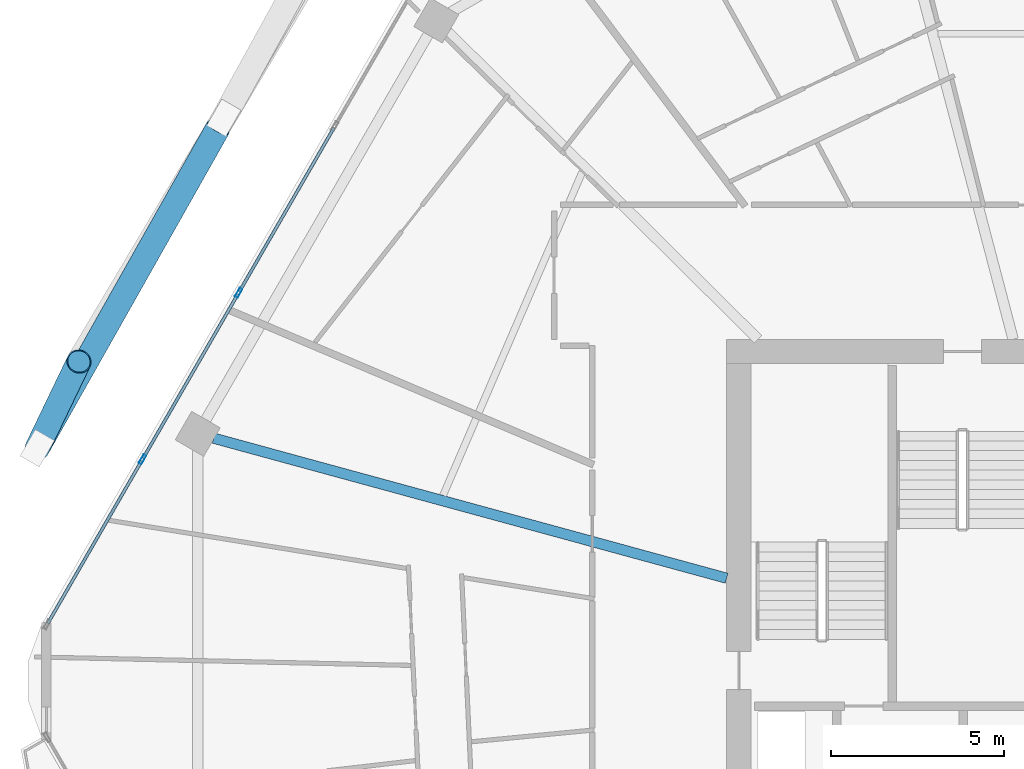
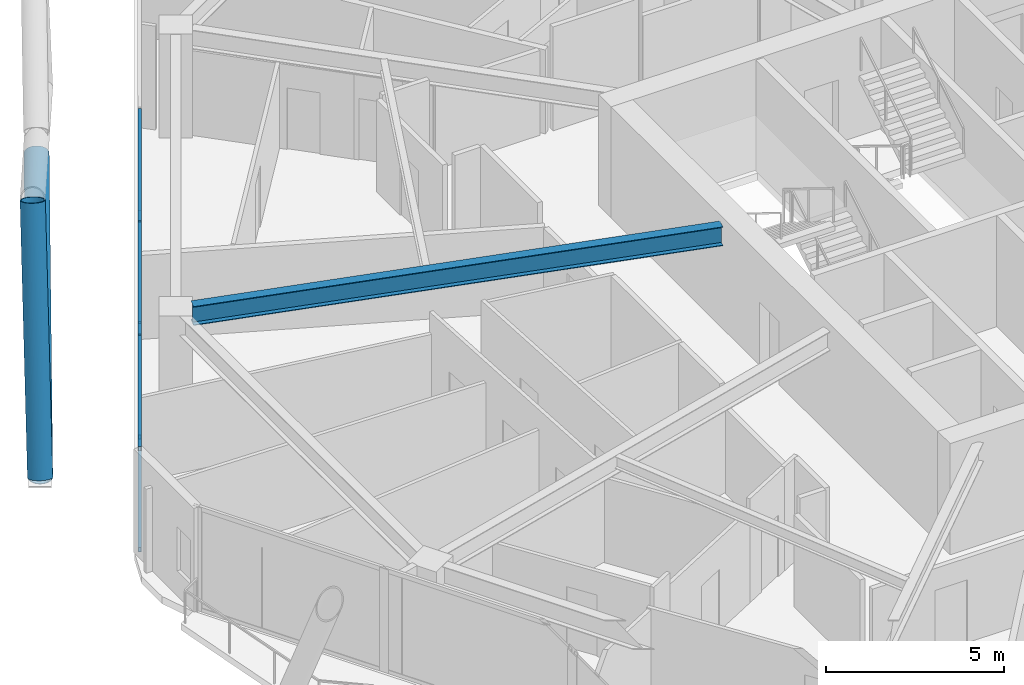
# One storey, part 10 of 29: 10 members, 1 beam, 1 element without a shape of its own.
"""IFC4 building model written with IfcOpenShell, lengths in metres."""

import ifcopenshell
import ifcopenshell.guid

model = None  # the IFC model being written
_history = None  # IfcOwnerHistory: only IFC2X3 demands one
_inside = {}  # id of a spatial element -> (the spatial element, [elements in it])
_under = {}  # id of a project, library or spatial element -> (it, [spatial elements below it])
_declared = {}  # id of a project -> (the project, [libraries it declares])
_typed = {}  # id of a type object -> (the type object, [elements of that type])
_made_of = {}  # id of a material, layer set ... -> (it, [elements and type objects made of it])


def new_model(schema):
    """Start an empty IFC model of exactly this schema.

    Asked for "IFC4X3", IfcOpenShell would pick the latest addendum, in which some entities
    have other attributes; the version numbers below select the first issue.
    IFC2X3 requires an IfcOwnerHistory on every rooted entity: one is made here for all.
    """
    global model, _history
    if schema == "IFC4X3":
        model = ifcopenshell.file(schema_version=(4, 3, 0, 0))
    else:
        model = ifcopenshell.file(schema=schema)
    _inside.clear()
    _under.clear()
    _declared.clear()
    _typed.clear()
    _made_of.clear()
    _history = None
    if model.schema == "IFC2X3":
        org = make("IfcOrganization", Name="unknown")
        user = make(
            "IfcPersonAndOrganization",
            ThePerson=make("IfcPerson", FamilyName="unknown"),
            TheOrganization=org,
        )
        app = make(
            "IfcApplication",
            ApplicationDeveloper=org,
            Version="unknown",
            ApplicationFullName="unknown",
            ApplicationIdentifier="unknown",
        )
        _history = make(
            "IfcOwnerHistory",
            OwningUser=user,
            OwningApplication=app,
            ChangeAction="ADDED",
            CreationDate=0,
        )
    return model


def make(cls, **values):
    """One entity of the class cls with the attributes given. An attribute that is None is left unset."""
    return model.create_entity(
        cls, **{name: value for name, value in values.items() if value is not None}
    )


def rooted(cls, **values):
    """An entity with a GlobalId (a new one), such as an element, a storey or a relation."""
    return make(cls, GlobalId=ifcopenshell.guid.new(), OwnerHistory=_history, **values)


def si_unit(unit_type, name, prefix=None):
    """IfcSIUnit, for example si_unit("LENGTHUNIT", "METRE", prefix="MILLI")."""
    return make("IfcSIUnit", UnitType=unit_type, Prefix=prefix, Name=name)


def assignment(units):
    """IfcUnitAssignment: the units of a project."""
    return None if units is None else make("IfcUnitAssignment", Units=units)


def point(xyz):
    """IfcCartesianPoint."""
    return None if xyz is None else make("IfcCartesianPoint", Coordinates=xyz)


def direction(xyz):
    """IfcDirection."""
    return None if xyz is None else make("IfcDirection", DirectionRatios=xyz)


def frame(location, z_axis=None, x_axis=None):
    """IfcAxis2Placement3D, a coordinate frame: its origin and axes. An axis left out is left unset."""
    return make(
        "IfcAxis2Placement3D",
        Location=point(location),
        Axis=direction(z_axis),
        RefDirection=direction(x_axis),
    )


def frame_2d(location, x_axis=None):
    """IfcAxis2Placement2D, a coordinate frame in the plane: its origin and x axis."""
    return make(
        "IfcAxis2Placement2D", Location=point(location), RefDirection=direction(x_axis)
    )


def origin():
    """The frame at (0, 0, 0) with its axes left unset."""
    return frame((0.0, 0.0, 0.0))


def origin_2d():
    """The frame at (0, 0) in the plane with its x axis left unset."""
    return frame_2d((0.0, 0.0))


def place(relative_to, where):
    """IfcLocalPlacement: puts the frame where relative to a parent placement (None: the world)."""
    return make(
        "IfcLocalPlacement", PlacementRelTo=relative_to, RelativePlacement=where
    )


def context(
    kind, dimensions, precision=None, world=None, true_north=None, identifier=None
):
    """IfcGeometricRepresentationContext, for example the 3D "Model" context."""
    return make(
        "IfcGeometricRepresentationContext",
        ContextIdentifier=identifier,
        ContextType=kind,
        CoordinateSpaceDimension=dimensions,
        Precision=precision,
        WorldCoordinateSystem=world,
        TrueNorth=true_north,
    )


def subcontext(parent, identifier, kind, view, scale=None):
    """IfcGeometricRepresentationSubContext, for example "Body" below "Model"."""
    return make(
        "IfcGeometricRepresentationSubContext",
        ContextIdentifier=identifier,
        ContextType=kind,
        ParentContext=parent,
        TargetScale=scale,
        TargetView=view,
    )


def project(units=None, contexts=None):
    """IfcProject with its units and contexts."""
    return rooted(
        "IfcProject",
        Name="project",
        RepresentationContexts=contexts,
        UnitsInContext=assignment(units),
    )


def spatial(cls, under=None, at=None, **own):
    """A site, building, storey or space (cls), placed at a placement, below another one or the project."""
    s = rooted(cls, ObjectPlacement=at, **own)
    if under is not None:
        _under.setdefault(under.id(), (under, []))[1].append(s)
    return s


def profile(cls, at=None, kind="AREA", **sizes):
    """A parametric profile (cls). Its sizes go by their IFC names, for example OverallWidth=200.0."""
    return make(cls, ProfileType=kind, Position=at, **sizes)


def hollow_rectangle(**sizes):
    """IfcRectangleHollowProfileDef."""
    return profile("IfcRectangleHollowProfileDef", **sizes)


def hollow_circle(**sizes):
    """IfcCircleHollowProfileDef."""
    return profile("IfcCircleHollowProfileDef", **sizes)


def i_section(**sizes):
    """IfcIShapeProfileDef."""
    return profile("IfcIShapeProfileDef", **sizes)


def extrude(swept, where, along, depth):
    """IfcExtrudedAreaSolid: the profile swept, set in the frame where, extruded along a direction by depth."""
    return make(
        "IfcExtrudedAreaSolid",
        SweptArea=swept,
        Position=where,
        ExtrudedDirection=direction(along),
        Depth=depth,
    )


def shape(context_of_items, identifier, shape_type, items):
    """IfcShapeRepresentation: the items that make up one representation, for example the "Body"."""
    return make(
        "IfcShapeRepresentation",
        ContextOfItems=context_of_items,
        RepresentationIdentifier=identifier,
        RepresentationType=shape_type,
        Items=items,
    )


def material(Name=None, Category=None):
    """IfcMaterial."""
    return make("IfcMaterial", Name=Name, Category=Category)


def material_profile(
    of_material, cross_section, Name=None, Category=None, Priority=None
):
    """IfcMaterialProfile: a cross section and its material."""
    return make(
        "IfcMaterialProfile",
        Name=Name,
        Material=of_material,
        Profile=cross_section,
        Priority=Priority,
        Category=Category,
    )


def profile_set(profiles, Name=None, composite=None):
    """IfcMaterialProfileSet."""
    return make(
        "IfcMaterialProfileSet",
        Name=Name,
        MaterialProfiles=profiles,
        CompositeProfile=composite,
    )


def made_of(thing, what):
    """Note that an element or type object is made of a material, layer set ...; save() writes the relation."""
    if what is not None:
        _made_of.setdefault(what.id(), (what, []))[1].append(thing)
    return thing


def type_object(cls, material=None, **own):
    """A type object (cls), such as IfcWallType, which elements share."""
    return made_of(rooted(cls, **own), material)


def element(
    cls,
    number,
    at=None,
    inside=None,
    cuts=None,
    type_object=None,
    material=None,
    context=None,
    identifier="Body",
    shape_type=None,
    held_by="IfcProductDefinitionShape",
    body=None,
    shapes=None,
    **own,
):
    """One element of the class cls, such as IfcWall. Its Tag is "e" and its number.

    at: its placement. inside: the storey or other place that contains it. cuts: it is an
    opening in that element (IfcRelVoidsElement). A single representation is given by context,
    identifier, shape_type and body (its items); several are given by shapes. held_by: the class
    of the entity that holds the representations. save() writes the other relations.
    """
    e = rooted(cls, Tag="e%d" % number, ObjectPlacement=at, **own)
    if body is not None:
        shapes = [shape(context, identifier, shape_type, body)]
    if shapes is not None:
        e.Representation = make(held_by, Representations=shapes)
    if inside is not None:
        _inside.setdefault(inside.id(), (inside, []))[1].append(e)
    if cuts is not None:
        rooted(
            "IfcRelVoidsElement", RelatingBuildingElement=cuts, RelatedOpeningElement=e
        )
    if type_object is not None:
        _typed.setdefault(type_object.id(), (type_object, []))[1].append(e)
    return made_of(e, material)


def aggregate(whole, parts):
    """IfcRelAggregates: a whole, such as a stair, and the parts it consists of."""
    return rooted("IfcRelAggregates", RelatingObject=whole, RelatedObjects=parts)


def save(model, path):
    """Write the relations noted so far, then the file.

    IfcRelAggregates (storeys below a building ...), IfcRelContainedInSpatialStructure (elements
    in a storey), IfcRelDefinesByType, IfcRelAssociatesMaterial and IfcRelDeclares: one each for
    every whole, place, type object, material and project.
    """
    for whole, parts in _under.values():
        aggregate(whole, parts)
    for where, things in _inside.values():
        rooted(
            "IfcRelContainedInSpatialStructure",
            RelatedElements=things,
            RelatingStructure=where,
        )
    for kind, things in _typed.values():
        rooted("IfcRelDefinesByType", RelatedObjects=things, RelatingType=kind)
    for what, things in _made_of.values():
        rooted("IfcRelAssociatesMaterial", RelatedObjects=things, RelatingMaterial=what)
    for by, libraries in _declared.values():
        rooted("IfcRelDeclares", RelatingContext=by, RelatedDefinitions=libraries)
    model.write(path)


model = new_model("IFC4")

# Units and contexts
model_context = context("Model", 3, precision=1e-05, world=origin(), true_north=direction((0.0, 1.0)))
body_context = subcontext(model_context, "Body", "Model", "MODEL_VIEW")
ifc_project = project(units=[si_unit("LENGTHUNIT", "METRE"), si_unit("AREAUNIT", "SQUARE_METRE"), si_unit("VOLUMEUNIT", "CUBIC_METRE"), si_unit("PLANEANGLEUNIT", "RADIAN"), si_unit("MASSUNIT", "GRAM", prefix="KILO")], contexts=[model_context])

# Site, building, storey
site_placement = place(None, origin())
site = spatial("IfcSite", under=ifc_project, at=site_placement, CompositionType="ELEMENT")
building_placement = place(site_placement, origin())
building = spatial("IfcBuilding", under=site, at=building_placement, Name="Zuhravey Tower", CompositionType="ELEMENT")
storey_placement = place(building_placement, frame((0.0, 0.0, 192.199951171875)))
storey = spatial("IfcBuildingStorey", under=building, at=storey_placement, Name="L48", CompositionType="ELEMENT", Elevation=192.199951171875)

# Curtain wall, members
ifc_material_1 = material(Name="Thermally broken anodised aluminium", Category="aluminium")
curtain_wall_type = type_object("IfcCurtainWallType", Name="Zone 1-2 Residential Curtain Wall CW3", PredefinedType="NOTDEFINED", material=ifc_material_1)
curtain_wall_placement = place(storey_placement, origin())
curtain_wall = element("IfcCurtainWall", 1, at=curtain_wall_placement, inside=storey, type_object=curtain_wall_type, Name="L48 CW3 CW-L48-F3-1", PredefinedType="NOTDEFINED")
ifc_material_2 = material(Name="Anodised aluminium", Category="aluminium")
ifc_material_profile_1 = material_profile(ifc_material_2, hollow_rectangle(XDim=0.090087890625, YDim=0.284912109375, WallThickness=0.0048828125, at=origin_2d()), Name="ALU-RHS-90x285x5")
ifc_profile_set_1 = profile_set([ifc_material_profile_1], Name="Anodised aluminium")
member_type_1 = type_object("IfcMemberType", Name="Curtain-Wall Mullion 90x180", PredefinedType="MULLION", material=ifc_profile_set_1)
member_1_placement = place(storey_placement, frame((8.300537109375, 38.38916015625, 0.0), z_axis=(0.0, 0.0, 1.0), x_axis=(-0.866025138215, 0.500000459979, 0.0)))
member_1 = element("IfcMember", 2, at=member_1_placement, type_object=member_type_1, Name="CW3 mullion 2", PredefinedType="MULLION", context=body_context, shape_type="SweptSolid", body=[
    extrude(hollow_rectangle(XDim=0.090087890625, YDim=0.284912109375, WallThickness=0.0048828125, at=origin_2d()), origin(), (0.0, 0.0, 1.0), 3.550048828125),
])
member_2_placement = place(storey_placement, frame((11.07275390625, 43.190673828125, 0.0), z_axis=(0.0, 0.0, 1.0), x_axis=(-0.866025138215, 0.500000459979, 0.0)))
member_2 = element("IfcMember", 3, at=member_2_placement, type_object=member_type_1, Name="CW3 mullion 3", PredefinedType="MULLION", context=body_context, shape_type="SweptSolid", body=[
    extrude(hollow_rectangle(XDim=0.090087890625, YDim=0.284912109375, WallThickness=0.0048828125, at=origin_2d()), origin(), (0.0, 0.0, 1.0), 3.550048828125),
])
ifc_material_profile_2 = material_profile(ifc_material_2, hollow_rectangle(XDim=0.090087890625, YDim=0.14990234375, WallThickness=0.0048828125, at=origin_2d()), Name="ALU-RHS-90x150x5")
ifc_profile_set_2 = profile_set([ifc_material_profile_2], Name="Anodised aluminium")
member_type_2 = type_object("IfcMemberType", Name="Curtain-Wall Transom 90x150", PredefinedType="USERDEFINED", material=ifc_profile_set_2)
member_3_placement = place(storey_placement, frame((5.5732421875, 33.66552734375, 0.045166015625), z_axis=(0.499993332629, 0.866029253159, 0.0), x_axis=(-0.866029253159, 0.499993332629, 0.0)))
member_3 = element("IfcMember", 4, at=member_3_placement, type_object=member_type_2, Name="CW3 transom 1.1", ObjectType="TRANSOM", PredefinedType="USERDEFINED", context=body_context, shape_type="SweptSolid", body=[
    extrude(hollow_rectangle(XDim=0.090087890625, YDim=0.14990234375, WallThickness=0.0048828125, at=origin_2d()), origin(), (0.0, 0.0, 1.0), 5.4091796875),
])
member_4_placement = place(storey_placement, frame((5.5732421875, 33.66552734375, 3.505126953125), z_axis=(0.499993332629, 0.866029253159, 0.0), x_axis=(-0.866029253159, 0.499993332629, 0.0)))
member_4 = element("IfcMember", 5, at=member_4_placement, type_object=member_type_2, Name="CW3 transom 1.2", ObjectType="TRANSOM", PredefinedType="USERDEFINED", context=body_context, shape_type="SweptSolid", body=[
    extrude(hollow_rectangle(XDim=0.090087890625, YDim=0.14990234375, WallThickness=0.0048828125, at=origin_2d()), origin(), (0.0, 0.0, 1.0), 5.4091796875),
])
member_5_placement = place(storey_placement, frame((8.322998046875, 38.427978515625, 0.045166015625), z_axis=(0.49996138257, 0.86604769842, 0.0), x_axis=(-0.86604769842, 0.49996138257, 0.0)))
member_5 = element("IfcMember", 6, at=member_5_placement, type_object=member_type_2, Name="CW3 transom 2.1", ObjectType="TRANSOM", PredefinedType="USERDEFINED", context=body_context, shape_type="SweptSolid", body=[
    extrude(hollow_rectangle(XDim=0.090087890625, YDim=0.14990234375, WallThickness=0.0048828125, at=origin_2d()), origin(), (0.0, 0.0, 1.0), 5.45458984375),
])
member_6_placement = place(storey_placement, frame((8.322998046875, 38.427978515625, 3.505126953125), z_axis=(0.49996138257, 0.86604769842, 0.0), x_axis=(-0.86604769842, 0.49996138257, 0.0)))
member_6 = element("IfcMember", 7, at=member_6_placement, type_object=member_type_2, Name="CW3 transom 2.2", ObjectType="TRANSOM", PredefinedType="USERDEFINED", context=body_context, shape_type="SweptSolid", body=[
    extrude(hollow_rectangle(XDim=0.090087890625, YDim=0.14990234375, WallThickness=0.0048828125, at=origin_2d()), origin(), (0.0, 0.0, 1.0), 5.45458984375),
])
member_7_placement = place(storey_placement, frame((11.09521484375, 43.229736328125, 0.045166015625), z_axis=(0.499980763544, 0.866036509673, 0.0), x_axis=(-0.866036509673, 0.499980763544, 0.0)))
member_7 = element("IfcMember", 8, at=member_7_placement, type_object=member_type_2, Name="CW3 transom 3.1", ObjectType="TRANSOM", PredefinedType="USERDEFINED", context=body_context, shape_type="SweptSolid", body=[
    extrude(hollow_rectangle(XDim=0.090087890625, YDim=0.14990234375, WallThickness=0.0048828125, at=origin_2d()), origin(), (0.0, 0.0, 1.0), 5.454345703125),
])
member_8_placement = place(storey_placement, frame((11.09521484375, 43.229736328125, 3.505126953125), z_axis=(0.499980763544, 0.866036509673, 0.0), x_axis=(-0.866036509673, 0.499980763544, 0.0)))
member_8 = element("IfcMember", 9, at=member_8_placement, type_object=member_type_2, Name="CW3 transom 3.2", ObjectType="TRANSOM", PredefinedType="USERDEFINED", context=body_context, shape_type="SweptSolid", body=[
    extrude(hollow_rectangle(XDim=0.090087890625, YDim=0.14990234375, WallThickness=0.0048828125, at=origin_2d()), origin(), (0.0, 0.0, 1.0), 5.454345703125),
])
aggregate(curtain_wall, [member_1, member_2, member_3, member_4, member_5, member_6, member_7, member_8])

# Members
ifc_material_3 = material(Name="Steel SM460", Category="steel")
ifc_material_profile_3 = material_profile(ifc_material_3, hollow_circle(Radius=0.355712890625, WallThickness=0.031982421875, at=origin_2d()), Name="CHS-711.2x32")
ifc_profile_set_3 = profile_set([ifc_material_profile_3], Name="Steel SM460")
member_type_3 = type_object("IfcMemberType", Name="Exoskeleton Zone 2 Diagrid CHS711x32", PredefinedType="BRACE", material=ifc_profile_set_3)
member_9_placement = place(storey_placement, frame((5.26806640625, 38.71826171875, -0.44384765625), z_axis=(0.148933393196, 0.309815423516, 0.939059767929), x_axis=(-0.901270974333, 0.433255849153, 0.0)))
element("IfcMember", 10, at=member_9_placement, inside=storey, type_object=member_type_3, Name="L48 Face 3 Diagrid Brace 4", PredefinedType="BRACE", context=body_context, shape_type="SweptSolid", body=[
    extrude(hollow_circle(Radius=0.355712890625, WallThickness=0.031982421875, at=origin_2d()), origin(), (0.0, 0.0, 1.0), 8.05029296875),
])
member_10_placement = place(storey_placement, frame((5.287109375, 38.750732421875, -0.448486328125), z_axis=(0.464453504915, 0.822594739199, 0.328056148875), x_axis=(-0.870785557052, 0.491663008197, 0.0)))
element("IfcMember", 11, at=member_10_placement, inside=storey, type_object=member_type_3, Name="L48 Face 3 Split Diagrid Brace 3A", PredefinedType="BRACE", context=body_context, shape_type="SweptSolid", body=[
    extrude(hollow_circle(Radius=0.355712890625, WallThickness=0.031982421875, at=origin_2d()), origin(), (0.0, 0.0, 1.0), 11.190673828125),
])

# Beam
ifc_material_4 = material(Name="Steel SM355", Category="steel")
ifc_material_profile_4 = material_profile(ifc_material_4, i_section(OverallWidth=0.300048828125, OverallDepth=0.64990234375, WebThickness=0.012939453125, FlangeThickness=0.02197265625, at=origin_2d()), Name="H-650x300x13x22")
ifc_profile_set_4 = profile_set([ifc_material_profile_4], Name="Steel SM355")
beam_type = type_object("IfcBeamType", Name="Radial Primary Girder H650x300", PredefinedType="BEAM", material=ifc_profile_set_4)
beam_placement = place(storey_placement, frame((25.14697265625, 34.96240234375, 3.22509765625), z_axis=(-0.964701703464, 0.263345065139, 0.0), x_axis=(-0.263345065139, -0.964701703464, 0.0)))
element("IfcBeam", 12, at=beam_placement, inside=storey, type_object=beam_type, Name="L48 RG2 BM-L48-RAD-06", PredefinedType="BEAM", context=body_context, shape_type="SweptSolid", body=[
    extrude(i_section(OverallWidth=0.300048828125, OverallDepth=0.64990234375, WebThickness=0.012939453125, FlangeThickness=0.02197265625, at=origin_2d()), origin(), (0.0, 0.0, 1.0), 15.334716796875),
])

save(model, "model.ifc")
